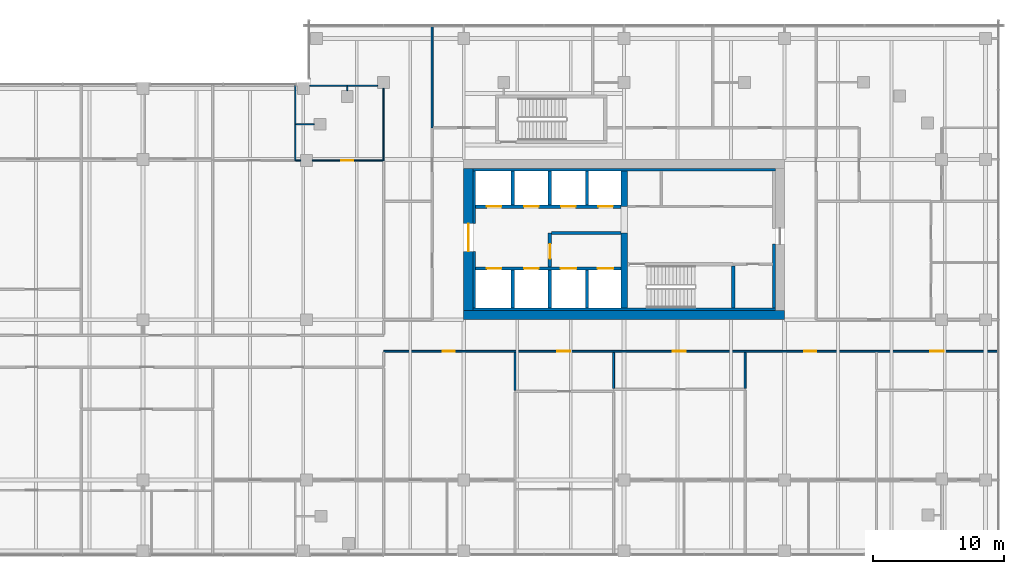
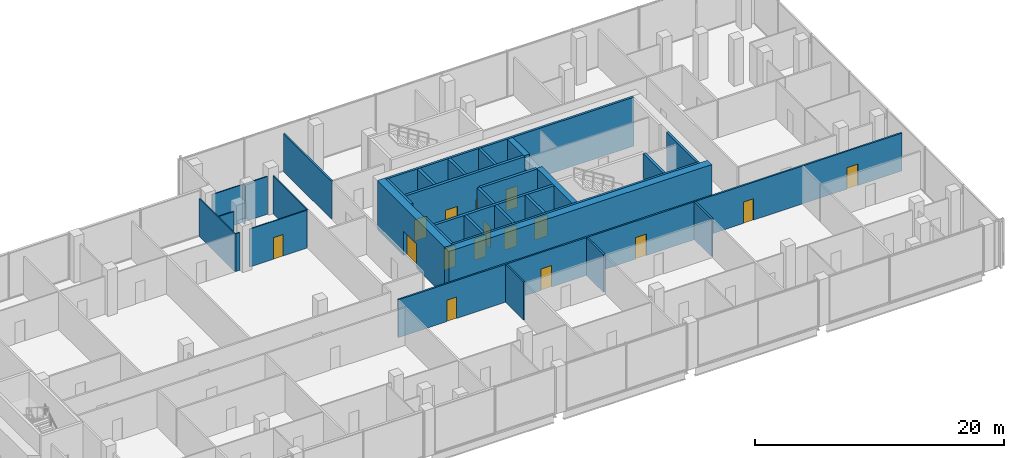
# One storey, part 27 of 33: 32 walls, 16 doors, 16 openings.
"""IFC4 building model written with IfcOpenShell, lengths in metres."""

from ifc_helpers import new_model, si_unit, direction, frame, frame_2d, origin, place, context, subcontext, project, spatial, rectangle, extrude, source, transform, mapped, material, layer, layer_set, type_object, element, fill, save


model = new_model("IFC4")

# Units and contexts
model_context = context("Model", 3, precision=1e-05, world=origin(), true_north=direction((0.0, 1.0)))
body_context = subcontext(model_context, "Body", "Model", "MODEL_VIEW")
ifc_project = project(units=[si_unit("LENGTHUNIT", "METRE"), si_unit("AREAUNIT", "SQUARE_METRE"), si_unit("VOLUMEUNIT", "CUBIC_METRE"), si_unit("PLANEANGLEUNIT", "RADIAN"), si_unit("MASSUNIT", "GRAM", prefix="KILO")], contexts=[model_context])

# Site, building, storey
site_placement = place(None, origin())
site = spatial("IfcSite", under=ifc_project, at=site_placement, CompositionType="ELEMENT")
building_placement = place(site_placement, origin())
building = spatial("IfcBuilding", under=site, at=building_placement, Name="Tessera Gate Towers", CompositionType="ELEMENT")
storey_placement = place(building_placement, frame((0.0, 0.0, 7.199951171875)))
storey = spatial("IfcBuildingStorey", under=building, at=storey_placement, Name="L01", CompositionType="ELEMENT", Elevation=7.199951171875)

# Wall, openings, doors
ifc_material_1 = material(Name="Concrete C40/50", Category="concrete")
ifc_layer_1 = layer(ifc_material_1, 0.25)
ifc_layer_set_1 = layer_set([ifc_layer_1], Name="CORE ENCLOSURE WALL 250")
wall_type_1 = type_object("IfcWallType", Name="CORE ENCLOSURE WALL 250", PredefinedType="SOLIDWALL", material=ifc_layer_set_1)
wall_1_placement = place(storey_placement, frame((98.5, 40.5, 0.0), z_axis=(0.0, 0.0, 1.0), x_axis=(1.0, 0.0, 0.0)))
wall_1 = element("IfcWall", 1, at=wall_1_placement, inside=storey, type_object=wall_type_1, Name="L01 shaft and stair enclosure wall", PredefinedType="SOLIDWALL", context=body_context, shape_type="SweptSolid", body=[
    extrude(rectangle(XDim=11.050048828125, YDim=0.25, at=frame_2d((5.52490234375, 0.0))), origin(), (0.0, 0.0, 1.0), 4.800048828125),
])
shared_shape_1 = source(origin(), body_context, "Body", "SweptSolid", [
    extrude(rectangle(XDim=1.10009765625, YDim=2.10009765625, at=frame_2d((0.550048828125, 1.050048828125))), frame((0.0, 0.135009765625, 0.0), z_axis=(0.0, -1.0, 0.0), x_axis=(1.0, 0.0, 0.0)), (0.0, 0.0, 1.0), 0.27001953125),
])
opening_1_placement = place(wall_1_placement, frame((0.862548828125, 0.0, 0.0)))
opening_1 = element("IfcOpeningElement", 2, at=opening_1_placement, cuts=wall_1, Name="Opening LD-TL1", PredefinedType="OPENING", context=body_context, shape_type="MappedRepresentation", body=[
    mapped(shared_shape_1, transform((0.0, 0.0, 0.0), scale=1.0)),
])
opening_2_placement = place(wall_1_placement, frame((3.6875, 0.0, 0.0)))
opening_2 = element("IfcOpeningElement", 3, at=opening_2_placement, cuts=wall_1, Name="Opening LD-TL2", PredefinedType="OPENING", context=body_context, shape_type="MappedRepresentation", body=[
    mapped(shared_shape_1, transform((0.0, 0.0, 0.0), scale=1.0)),
])
shared_shape_2 = source(origin(), body_context, "Body", "SweptSolid", [
    extrude(rectangle(XDim=1.199951171875, YDim=2.10009765625, at=frame_2d((0.60009765625, 1.050048828125))), frame((0.0, 0.135009765625, 0.0), z_axis=(0.0, -1.0, 0.0), x_axis=(1.0, 0.0, 0.0)), (0.0, 0.0, 1.0), 0.27001953125),
])
opening_3_placement = place(wall_1_placement, frame((6.46240234375, 0.0, 0.0)))
opening_3 = element("IfcOpeningElement", 4, at=opening_3_placement, cuts=wall_1, Name="Opening LD-FF3", PredefinedType="OPENING", context=body_context, shape_type="MappedRepresentation", body=[
    mapped(shared_shape_2, transform((0.0, 0.0, 0.0), scale=1.0)),
])
opening_4_placement = place(wall_1_placement, frame((9.28759765625, 0.0, 0.0)))
opening_4 = element("IfcOpeningElement", 5, at=opening_4_placement, cuts=wall_1, Name="Opening LD-FF4", PredefinedType="OPENING", context=body_context, shape_type="MappedRepresentation", body=[
    mapped(shared_shape_2, transform((0.0, 0.0, 0.0), scale=1.0)),
])
ifc_material_2 = material(Name="Stainless steel", Category="steel")
door_type_1 = type_object("IfcDoorType", Name="CORE DOOR LD1200 1200x2100", OperationType="DOUBLE_DOOR_SLIDING", PredefinedType="DOOR", material=ifc_material_2)
shared_shape_3 = source(origin(), body_context, "Body", "SweptSolid", [
    extrude(rectangle(XDim=1.199951171875, YDim=2.10009765625, at=frame_2d((0.60009765625, 1.050048828125))), frame((0.0, 0.02490234375, 0.0), z_axis=(0.0, -1.0, 0.0), x_axis=(1.0, 0.0, 0.0)), (0.0, 0.0, 1.0), 0.050048828125),
])
door_1_placement = place(opening_3_placement, origin())
door_1 = element("IfcDoor", 6, at=door_1_placement, inside=storey, type_object=door_type_1, Name="Landing door FF3 L01", OperationType="DOUBLE_DOOR_SLIDING", OverallHeight=2.10009765625, OverallWidth=1.199951171875, PredefinedType="DOOR", context=body_context, shape_type="MappedRepresentation", body=[
    mapped(shared_shape_3, transform((0.0, 0.0, 0.0), scale=1.0)),
])
fill(opening_3, door_1)
door_2_placement = place(opening_4_placement, origin())
door_2 = element("IfcDoor", 7, at=door_2_placement, inside=storey, type_object=door_type_1, Name="Landing door FF4 L01", OperationType="DOUBLE_DOOR_SLIDING", OverallHeight=2.10009765625, OverallWidth=1.199951171875, PredefinedType="DOOR", context=body_context, shape_type="MappedRepresentation", body=[
    mapped(shared_shape_3, transform((0.0, 0.0, 0.0), scale=1.0)),
])
fill(opening_4, door_2)
ifc_material_3 = material(Name="Stainless steel", Category="steel")
door_type_2 = type_object("IfcDoorType", Name="CORE DOOR LD 1100x2100", OperationType="DOUBLE_DOOR_SLIDING", PredefinedType="DOOR", material=ifc_material_3)
shared_shape_4 = source(origin(), body_context, "Body", "SweptSolid", [
    extrude(rectangle(XDim=1.10009765625, YDim=2.10009765625, at=frame_2d((0.550048828125, 1.050048828125))), frame((0.0, 0.02490234375, 0.0), z_axis=(0.0, -1.0, 0.0), x_axis=(1.0, 0.0, 0.0)), (0.0, 0.0, 1.0), 0.050048828125),
])
door_3_placement = place(opening_1_placement, origin())
door_3 = element("IfcDoor", 8, at=door_3_placement, inside=storey, type_object=door_type_2, Name="Landing door TL1 L01", OperationType="DOUBLE_DOOR_SLIDING", OverallHeight=2.10009765625, OverallWidth=1.10009765625, PredefinedType="DOOR", context=body_context, shape_type="MappedRepresentation", body=[
    mapped(shared_shape_4, transform((0.0, 0.0, 0.0), scale=1.0)),
])
fill(opening_1, door_3)
door_4_placement = place(opening_2_placement, origin())
door_4 = element("IfcDoor", 9, at=door_4_placement, inside=storey, type_object=door_type_2, Name="Landing door TL2 L01", OperationType="DOUBLE_DOOR_SLIDING", OverallHeight=2.10009765625, OverallWidth=1.10009765625, PredefinedType="DOOR", context=body_context, shape_type="MappedRepresentation", body=[
    mapped(shared_shape_4, transform((0.0, 0.0, 0.0), scale=1.0)),
])
fill(opening_2, door_4)

wall_2_placement = place(storey_placement, frame((109.550048828125, 45.199951171875, 0.0), z_axis=(0.0, 0.0, 1.0), x_axis=(-1.0, 0.0, 0.0)))
wall_2 = element("IfcWall", 10, at=wall_2_placement, inside=storey, type_object=wall_type_1, Name="L01 shaft and stair enclosure wall", PredefinedType="SOLIDWALL", context=body_context, shape_type="SweptSolid", body=[
    extrude(rectangle(XDim=11.050048828125, YDim=0.25, at=frame_2d((5.52490234375, 0.0))), origin(), (0.0, 0.0, 1.0), 4.800048828125),
])
opening_5_placement = place(wall_2_placement, frame((9.08740234375, 0.0, 0.0)))
opening_5 = element("IfcOpeningElement", 11, at=opening_5_placement, cuts=wall_2, Name="Opening LD-TL3", PredefinedType="OPENING", context=body_context, shape_type="MappedRepresentation", body=[
    mapped(shared_shape_1, transform((0.0, 0.0, 0.0), scale=1.0)),
])
opening_6_placement = place(wall_2_placement, frame((6.262451171875, 0.0, 0.0)))
opening_6 = element("IfcOpeningElement", 12, at=opening_6_placement, cuts=wall_2, Name="Opening LD-TL4", PredefinedType="OPENING", context=body_context, shape_type="MappedRepresentation", body=[
    mapped(shared_shape_1, transform((0.0, 0.0, 0.0), scale=1.0)),
])
opening_7_placement = place(wall_2_placement, frame((3.4375, 0.0, 0.0)))
opening_7 = element("IfcOpeningElement", 13, at=opening_7_placement, cuts=wall_2, Name="Opening LD-TL5", PredefinedType="OPENING", context=body_context, shape_type="MappedRepresentation", body=[
    mapped(shared_shape_1, transform((0.0, 0.0, 0.0), scale=1.0)),
])
opening_8_placement = place(wall_2_placement, frame((0.612548828125, 0.0, 0.0)))
opening_8 = element("IfcOpeningElement", 14, at=opening_8_placement, cuts=wall_2, Name="Opening LD-TL6", PredefinedType="OPENING", context=body_context, shape_type="MappedRepresentation", body=[
    mapped(shared_shape_1, transform((0.0, 0.0, 0.0), scale=1.0)),
])
door_5_placement = place(opening_5_placement, origin())
door_5 = element("IfcDoor", 15, at=door_5_placement, inside=storey, type_object=door_type_2, Name="Landing door TL3 L01", OperationType="DOUBLE_DOOR_SLIDING", OverallHeight=2.10009765625, OverallWidth=1.10009765625, PredefinedType="DOOR", context=body_context, shape_type="MappedRepresentation", body=[
    mapped(shared_shape_4, transform((0.0, 0.0, 0.0), scale=1.0)),
])
fill(opening_5, door_5)
door_6_placement = place(opening_6_placement, origin())
door_6 = element("IfcDoor", 16, at=door_6_placement, inside=storey, type_object=door_type_2, Name="Landing door TL4 L01", OperationType="DOUBLE_DOOR_SLIDING", OverallHeight=2.10009765625, OverallWidth=1.10009765625, PredefinedType="DOOR", context=body_context, shape_type="MappedRepresentation", body=[
    mapped(shared_shape_4, transform((0.0, 0.0, 0.0), scale=1.0)),
])
fill(opening_6, door_6)
door_7_placement = place(opening_7_placement, origin())
door_7 = element("IfcDoor", 17, at=door_7_placement, inside=storey, type_object=door_type_2, Name="Landing door TL5 L01", OperationType="DOUBLE_DOOR_SLIDING", OverallHeight=2.10009765625, OverallWidth=1.10009765625, PredefinedType="DOOR", context=body_context, shape_type="MappedRepresentation", body=[
    mapped(shared_shape_4, transform((0.0, 0.0, 0.0), scale=1.0)),
])
fill(opening_7, door_7)
door_8_placement = place(opening_8_placement, origin())
door_8 = element("IfcDoor", 18, at=door_8_placement, inside=storey, type_object=door_type_2, Name="Landing door TL6 L01", OperationType="DOUBLE_DOOR_SLIDING", OverallHeight=2.10009765625, OverallWidth=1.10009765625, PredefinedType="DOOR", context=body_context, shape_type="MappedRepresentation", body=[
    mapped(shared_shape_4, transform((0.0, 0.0, 0.0), scale=1.0)),
])
fill(opening_8, door_8)

# Wall
wall_3_placement = place(storey_placement, frame((104.14990234375, 37.5, 0.0), z_axis=(0.0, 0.0, 1.0), x_axis=(0.0, 1.0, 0.0)))
element("IfcWall", 19, at=wall_3_placement, inside=storey, type_object=wall_type_1, Name="L01 shaft and stair enclosure wall", PredefinedType="SOLIDWALL", context=body_context, shape_type="SweptSolid", body=[
    extrude(rectangle(XDim=2.875, YDim=0.25, at=frame_2d((1.4375, 0.0))), origin(), (0.0, 0.0, 1.0), 4.800048828125),
])

# Wall, opening, door
wall_4_placement = place(storey_placement, frame((104.14990234375, 43.199951171875, 0.0), z_axis=(0.0, 0.0, 1.0), x_axis=(0.0, -1.0, 0.0)))
wall_4 = element("IfcWall", 20, at=wall_4_placement, inside=storey, type_object=wall_type_1, Name="L01 shaft and stair enclosure wall", PredefinedType="SOLIDWALL", context=body_context, shape_type="SweptSolid", body=[
    extrude(rectangle(XDim=2.574951171875, YDim=0.25, at=frame_2d((1.28759765625, 0.0))), origin(), (0.0, 0.0, 1.0), 4.800048828125),
])
opening_9_placement = place(wall_4_placement, frame((0.85009765625, 0.0, 0.0)))
opening_9 = element("IfcOpeningElement", 21, at=opening_9_placement, cuts=wall_4, Name="Opening FD-T2-03-03", PredefinedType="OPENING", context=body_context, shape_type="MappedRepresentation", body=[
    mapped(shared_shape_1, transform((0.0, 0.0, 0.0), scale=1.0)),
])
ifc_material_4 = material(Name="Hollow steel fire door", Category="steel")
door_type_3 = type_object("IfcDoorType", Name="CORE DOOR FD 1100x2100", OperationType="NOTDEFINED", PredefinedType="DOOR", material=ifc_material_4)
door_9_placement = place(opening_9_placement, origin())
door_9 = element("IfcDoor", 22, at=door_9_placement, inside=storey, type_object=door_type_3, Name="Fire-fighting lobby door", OperationType="SINGLE_SWING_RIGHT", OverallHeight=2.10009765625, OverallWidth=1.10009765625, PredefinedType="DOOR", context=body_context, shape_type="MappedRepresentation", body=[
    mapped(shared_shape_4, transform((0.0, 0.0, 0.0), scale=1.0)),
])
fill(opening_9, door_9)

# Walls
wall_5_placement = place(storey_placement, frame((104.27490234375, 43.199951171875, 0.0), z_axis=(0.0, 0.0, 1.0), x_axis=(1.0, 0.0, 0.0)))
element("IfcWall", 23, at=wall_5_placement, inside=storey, type_object=wall_type_1, Name="L01 shaft and stair enclosure wall", PredefinedType="SOLIDWALL", context=body_context, shape_type="SweptSolid", body=[
    extrude(rectangle(XDim=5.275146484375, YDim=0.25, at=frame_2d((2.6376953125, 0.0))), origin(), (0.0, 0.0, 1.0), 4.800048828125),
])
wall_6_placement = place(storey_placement, frame((118.10009765625, 37.5, 0.0), z_axis=(0.0, 0.0, 1.0), x_axis=(0.0, 1.0, 0.0)))
element("IfcWall", 24, at=wall_6_placement, inside=storey, type_object=wall_type_1, Name="L01 shaft and stair enclosure wall", PredefinedType="SOLIDWALL", context=body_context, shape_type="SweptSolid", body=[
    extrude(rectangle(XDim=3.199951171875, YDim=0.25, at=frame_2d((1.60009765625, 0.0))), origin(), (0.0, 0.0, 1.0), 4.800048828125),
])
for number, where, z_axis, x_axis, name in (
    (25, (101.324951171875, 37.5, 0.0), (0.0, 0.0, 1.0), (0.0, 1.0, 0.0), "L01 shaft and stair enclosure wall"),
    (26, (106.97509765625, 37.5, 0.0), (0.0, 0.0, 1.0), (0.0, 1.0, 0.0), "L01 shaft and stair enclosure wall"),
):
    element("IfcWall", number, at=place(storey_placement, frame(where, z_axis=z_axis, x_axis=x_axis)), inside=storey, type_object=wall_type_1, Name=name, PredefinedType="SOLIDWALL", context=body_context, shape_type="SweptSolid", body=[
        extrude(rectangle(XDim=2.875, YDim=0.25, at=frame_2d((1.4375, 0.0))), origin(), (0.0, 0.0, 1.0), 4.800048828125),
    ])
for number, where, z_axis, x_axis, name in (
    (27, (101.324951171875, 45.324951171875, 0.0), (0.0, 0.0, 1.0), (0.0, 1.0, 0.0), "L01 shaft and stair enclosure wall"),
    (28, (104.14990234375, 45.324951171875, 0.0), (0.0, 0.0, 1.0), (0.0, 1.0, 0.0), "L01 shaft and stair enclosure wall"),
    (29, (106.97509765625, 45.324951171875, 0.0), (0.0, 0.0, 1.0), (0.0, 1.0, 0.0), "L01 shaft and stair enclosure wall"),
):
    element("IfcWall", number, at=place(storey_placement, frame(where, z_axis=z_axis, x_axis=x_axis)), inside=storey, type_object=wall_type_1, Name=name, PredefinedType="SOLIDWALL", context=body_context, shape_type="SweptSolid", body=[
        extrude(rectangle(XDim=2.574951171875, YDim=0.25, at=frame_2d((1.28759765625, 0.0))), origin(), (0.0, 0.0, 1.0), 4.800048828125),
    ])
ifc_material_5 = material(Name="Concrete C60/75", Category="concrete")
ifc_layer_2 = layer(ifc_material_5, 0.699951171875)
ifc_layer_set_2 = layer_set([ifc_layer_2], Name="CORE SHEAR WALL 700 C60/75")
wall_type_2 = type_object("IfcWallType", Name="CORE SHEAR WALL 700 C60/75", PredefinedType="SHEAR", material=ifc_layer_set_2)
wall_7_placement = place(storey_placement, frame((122.0, 36.949951171875, 0.0), z_axis=(0.0, 0.0, 1.0), x_axis=(-1.0, 0.0, 0.0)))
element("IfcWall", 30, at=wall_7_placement, inside=storey, type_object=wall_type_2, Name="Core wall S L01", PredefinedType="SHEAR", context=body_context, shape_type="SweptSolid", body=[
    extrude(rectangle(XDim=24.39990234375, YDim=0.699951171875, at=frame_2d((12.199951171875, 0.0))), origin(), (0.0, 0.0, 1.0), 4.800048828125),
])

# Wall, opening, door
wall_8_placement = place(storey_placement, frame((97.949951171875, 37.300048828125, 0.0), z_axis=(0.0, 0.0, 1.0), x_axis=(0.0, 1.0, 0.0)))
wall_8 = element("IfcWall", 31, at=wall_8_placement, inside=storey, type_object=wall_type_2, Name="Core wall W L01", PredefinedType="SHEAR", context=body_context, shape_type="SweptSolid", body=[
    extrude(rectangle(XDim=10.800048828125, YDim=0.699951171875, at=frame_2d((5.39990234375, 0.0))), origin(), (0.0, 0.0, 1.0), 4.800048828125),
])
shared_shape_5 = source(origin(), body_context, "Body", "SweptSolid", [
    extrude(rectangle(XDim=2.10009765625, YDim=2.39990234375, at=frame_2d((1.050048828125, 1.199951171875))), frame((0.0, 0.35986328125, 0.0), z_axis=(0.0, -1.0, 0.0), x_axis=(1.0, 0.0, 0.0)), (0.0, 0.0, 1.0), 0.719970703125),
])
opening_10_placement = place(wall_8_placement, frame((4.5, 0.0, 0.0)))
opening_10 = element("IfcOpeningElement", 32, at=opening_10_placement, cuts=wall_8, Name="Opening DD-T2-03-01", PredefinedType="OPENING", context=body_context, shape_type="MappedRepresentation", body=[
    mapped(shared_shape_5, transform((0.0, 0.0, 0.0), scale=1.0)),
])
ifc_material_6 = material(Name="Hollow steel fire door", Category="steel")
door_type_4 = type_object("IfcDoorType", Name="CORE DOOR DD 2100x2400", OperationType="NOTDEFINED", PredefinedType="DOOR", material=ifc_material_6)
shared_shape_6 = source(origin(), body_context, "Body", "SweptSolid", [
    extrude(rectangle(XDim=2.10009765625, YDim=2.39990234375, at=frame_2d((1.050048828125, 1.199951171875))), frame((0.0, 0.02490234375, 0.0), z_axis=(0.0, -1.0, 0.0), x_axis=(1.0, 0.0, 0.0)), (0.0, 0.0, 1.0), 0.050048828125),
])
door_10_placement = place(opening_10_placement, origin())
door_10 = element("IfcDoor", 33, at=door_10_placement, inside=storey, type_object=door_type_4, Name="Core entrance door", OperationType="DOUBLE_DOOR_SINGLE_SWING", OverallHeight=2.39990234375, OverallWidth=2.10009765625, PredefinedType="DOOR", context=body_context, shape_type="MappedRepresentation", body=[
    mapped(shared_shape_6, transform((0.0, 0.0, 0.0), scale=1.0)),
])
fill(opening_10, door_10)

# Walls
ifc_material_7 = material(Name="Concrete C60/75", Category="concrete")
ifc_layer_3 = layer(ifc_material_7, 0.5)
ifc_layer_set_3 = layer_set([ifc_layer_3], Name="CORE SPINE WALL 500 C60/75")
wall_type_3 = type_object("IfcWallType", Name="CORE SPINE WALL 500 C60/75", PredefinedType="SHEAR", material=ifc_layer_set_3)
wall_9_placement = place(storey_placement, frame((109.800048828125, 37.5, 0.0), z_axis=(0.0, 0.0, 1.0), x_axis=(0.0, 1.0, 0.0)))
element("IfcWall", 34, at=wall_9_placement, inside=storey, type_object=wall_type_3, Name="Core wall spine L01", PredefinedType="SHEAR", context=body_context, shape_type="SweptSolid", body=[
    extrude(rectangle(XDim=5.699951171875, YDim=0.5, at=frame_2d((2.85009765625, 0.0))), origin(), (0.0, 0.0, 1.0), 4.800048828125),
])
wall_10_placement = place(storey_placement, frame((109.800048828125, 45.199951171875, 0.0), z_axis=(0.0, 0.0, 1.0), x_axis=(0.0, 1.0, 0.0)))
element("IfcWall", 35, at=wall_10_placement, inside=storey, type_object=wall_type_3, Name="Core wall spine L01", PredefinedType="SHEAR", context=body_context, shape_type="SweptSolid", body=[
    extrude(rectangle(XDim=2.699951171875, YDim=0.5, at=frame_2d((1.35009765625, 0.0))), origin(), (0.0, 0.0, 1.0), 4.800048828125),
])
ifc_material_8 = material(Name="Concrete C60/75", Category="concrete")
ifc_layer_4 = layer(ifc_material_8, 0.199951171875)
ifc_layer_set_4 = layer_set([ifc_layer_4], Name="CORE WALL THICKENING 200")
wall_type_4 = type_object("IfcWallType", Name="CORE WALL THICKENING 200", PredefinedType="SOLIDWALL", material=ifc_layer_set_4)
for number, where, z_axis, x_axis, name in (
    (36, (98.300048828125, 37.39990234375, 0.0), (0.0, 0.0, 1.0), (1.0, 0.0, 0.0), "Core wall thickening S L01"),
    (37, (98.300048828125, 48.0, 0.0), (0.0, 0.0, 1.0), (1.0, 0.0, 0.0), "Core wall thickening N L01"),
):
    element("IfcWall", number, at=place(storey_placement, frame(where, z_axis=z_axis, x_axis=x_axis)), inside=storey, type_object=wall_type_4, Name=name, PredefinedType="SOLIDWALL", context=body_context, shape_type="SweptSolid", body=[
        extrude(rectangle(XDim=23.0, YDim=0.199951171875, at=frame_2d((11.5, 0.0))), origin(), (0.0, 0.0, 1.0), 4.800048828125),
    ])
wall_11_placement = place(storey_placement, frame((98.39990234375, 37.5, 0.0), z_axis=(0.0, 0.0, 1.0), x_axis=(0.0, 1.0, 0.0)))
element("IfcWall", 38, at=wall_11_placement, inside=storey, type_object=wall_type_4, Name="Core wall thickening W L01", PredefinedType="SOLIDWALL", context=body_context, shape_type="SweptSolid", body=[
    extrude(rectangle(XDim=4.300048828125, YDim=0.199951171875, at=frame_2d((2.14990234375, 0.0))), origin(), (0.0, 0.0, 1.0), 4.800048828125),
])
wall_12_placement = place(storey_placement, frame((98.39990234375, 43.89990234375, 0.0), z_axis=(0.0, 0.0, 1.0), x_axis=(0.0, 1.0, 0.0)))
element("IfcWall", 39, at=wall_12_placement, inside=storey, type_object=wall_type_4, Name="Core wall thickening W L01", PredefinedType="SOLIDWALL", context=body_context, shape_type="SweptSolid", body=[
    extrude(rectangle(XDim=4.0, YDim=0.199951171875, at=frame_2d((2.0, 0.0))), origin(), (0.0, 0.0, 1.0), 4.800048828125),
])
wall_13_placement = place(storey_placement, frame((121.199951171875, 37.5, 0.0), z_axis=(0.0, 0.0, 1.0), x_axis=(0.0, 1.0, 0.0)))
element("IfcWall", 40, at=wall_13_placement, inside=storey, type_object=wall_type_4, Name="Core wall thickening E L01", PredefinedType="SOLIDWALL", context=body_context, shape_type="SweptSolid", body=[
    extrude(rectangle(XDim=4.85009765625, YDim=0.199951171875, at=frame_2d((2.425048828125, 0.0))), origin(), (0.0, 0.0, 1.0), 4.800048828125),
])

# Wall, openings, doors
ifc_material_9 = material(Name="Gypsum board on steel studs, mineral wool", Category="steel")
ifc_layer_5 = layer(ifc_material_9, 0.14990234375)
ifc_layer_set_5 = layer_set([ifc_layer_5], Name="CORRIDOR WALL 150")
wall_type_5 = type_object("IfcWallType", Name="CORRIDOR WALL 150", PredefinedType="PARTITIONING", material=ifc_layer_set_5)
wall_14_placement = place(storey_placement, frame((138.199951171875, 34.199951171875, 0.0), z_axis=(0.0, 0.0, 1.0), x_axis=(-1.0, 0.0, 0.0)))
wall_14 = element("IfcWall", 41, at=wall_14_placement, inside=storey, type_object=wall_type_5, Name="PODIUM-L01-PW-066", PredefinedType="PARTITIONING", context=body_context, shape_type="SweptSolid", body=[
    extrude(rectangle(XDim=46.699951171875, YDim=0.14990234375, at=frame_2d((23.35009765625, 0.0))), origin(), (0.0, 0.0, 1.0), 3.715087890625),
])
shared_shape_7 = source(origin(), body_context, "Body", "SweptSolid", [
    extrude(rectangle(XDim=1.0, YDim=2.10009765625, at=frame_2d((0.5, 1.050048828125))), frame((0.0, 0.0849609375, 0.0), z_axis=(0.0, -1.0, 0.0), x_axis=(1.0, 0.0, 0.0)), (0.0, 0.0, 1.0), 0.169921875),
])
opening_11_placement = place(wall_14_placement, frame((32.4990234375, 0.0, 0.0)))
opening_11 = element("IfcOpeningElement", 42, at=opening_11_placement, cuts=wall_14, Name="Opening D2100FD60-P02-04", PredefinedType="OPENING", context=body_context, shape_type="MappedRepresentation", body=[
    mapped(shared_shape_7, transform((0.0, 0.0, 0.0), scale=1.0)),
])
opening_12_placement = place(wall_14_placement, frame((4.09912109375, 0.0, 0.0)))
opening_12 = element("IfcOpeningElement", 43, at=opening_12_placement, cuts=wall_14, Name="Opening D2100FD60-P02-06", PredefinedType="OPENING", context=body_context, shape_type="MappedRepresentation", body=[
    mapped(shared_shape_7, transform((0.0, 0.0, 0.0), scale=1.0)),
])
shared_shape_8 = source(origin(), body_context, "Body", "SweptSolid", [
    extrude(rectangle(XDim=0.89990234375, YDim=2.10009765625, at=frame_2d((0.449951171875, 1.050048828125))), frame((0.0, 0.0849609375, 0.0), z_axis=(0.0, -1.0, 0.0), x_axis=(1.0, 0.0, 0.0)), (0.0, 0.0, 1.0), 0.169921875),
])
opening_13_placement = place(wall_14_placement, frame((13.799072265625, 0.0, 0.0)))
opening_13 = element("IfcOpeningElement", 44, at=opening_13_placement, cuts=wall_14, Name="Opening D890FD60-P02-07", PredefinedType="OPENING", context=body_context, shape_type="MappedRepresentation", body=[
    mapped(shared_shape_8, transform((0.0, 0.0, 0.0), scale=1.0)),
])
opening_14_placement = place(wall_14_placement, frame((41.300048828125, 0.0, 0.0)))
opening_14 = element("IfcOpeningElement", 45, at=opening_14_placement, cuts=wall_14, Name="Opening D890FD60-P02-08", PredefinedType="OPENING", context=body_context, shape_type="MappedRepresentation", body=[
    mapped(shared_shape_8, transform((0.0, 0.0, 0.0), scale=1.0)),
])
opening_15_placement = place(wall_14_placement, frame((23.699951171875, 0.0, 0.0)))
opening_15 = element("IfcOpeningElement", 46, at=opening_15_placement, cuts=wall_14, Name="Opening D2100FD60-P02-08", PredefinedType="OPENING", context=body_context, shape_type="MappedRepresentation", body=[
    mapped(shared_shape_7, transform((0.0, 0.0, 0.0), scale=1.0)),
])
ifc_material_10 = material(Name="Timber door leaf in steel frame", Category="steel")
door_type_5 = type_object("IfcDoorType", Name="CORRIDOR DOOR 900 FD60", OperationType="NOTDEFINED", PredefinedType="DOOR", material=ifc_material_10)
shared_shape_9 = source(origin(), body_context, "Body", "SweptSolid", [
    extrude(rectangle(XDim=0.89990234375, YDim=2.10009765625, at=frame_2d((0.449951171875, 1.050048828125))), frame((0.0, 0.02490234375, 0.0), z_axis=(0.0, -1.0, 0.0), x_axis=(1.0, 0.0, 0.0)), (0.0, 0.0, 1.0), 0.050048828125),
])
door_11_placement = place(opening_13_placement, origin())
door_11 = element("IfcDoor", 47, at=door_11_placement, inside=storey, type_object=door_type_5, Name="PODIUM-L01-PD-043", OperationType="SINGLE_SWING_RIGHT", OverallHeight=2.10009765625, OverallWidth=0.89990234375, PredefinedType="DOOR", context=body_context, shape_type="MappedRepresentation", body=[
    mapped(shared_shape_9, transform((0.0, 0.0, 0.0), scale=1.0)),
])
fill(opening_13, door_11)
door_12_placement = place(opening_14_placement, origin())
door_12 = element("IfcDoor", 48, at=door_12_placement, inside=storey, type_object=door_type_5, Name="PODIUM-L01-PD-045", OperationType="SINGLE_SWING_RIGHT", OverallHeight=2.10009765625, OverallWidth=0.89990234375, PredefinedType="DOOR", context=body_context, shape_type="MappedRepresentation", body=[
    mapped(shared_shape_9, transform((0.0, 0.0, 0.0), scale=1.0)),
])
fill(opening_14, door_12)
ifc_material_11 = material(Name="Timber door leaf in steel frame", Category="steel")
door_type_6 = type_object("IfcDoorType", Name="TENANCY ENTRANCE DOOR 1000 FD60", OperationType="NOTDEFINED", PredefinedType="DOOR", material=ifc_material_11)
shared_shape_10 = source(origin(), body_context, "Body", "SweptSolid", [
    extrude(rectangle(XDim=1.0, YDim=2.10009765625, at=frame_2d((0.5, 1.050048828125))), frame((0.0, 0.02490234375, 0.0), z_axis=(0.0, -1.0, 0.0), x_axis=(1.0, 0.0, 0.0)), (0.0, 0.0, 1.0), 0.050048828125),
])
door_13_placement = place(opening_11_placement, origin())
door_13 = element("IfcDoor", 49, at=door_13_placement, inside=storey, type_object=door_type_6, Name="PODIUM-L01-PD-028", OperationType="SINGLE_SWING_RIGHT", OverallHeight=2.10009765625, OverallWidth=1.0, PredefinedType="DOOR", context=body_context, shape_type="MappedRepresentation", body=[
    mapped(shared_shape_10, transform((0.0, 0.0, 0.0), scale=1.0)),
])
fill(opening_11, door_13)
door_14_placement = place(opening_12_placement, origin())
door_14 = element("IfcDoor", 50, at=door_14_placement, inside=storey, type_object=door_type_6, Name="PODIUM-L01-PD-039", OperationType="SINGLE_SWING_RIGHT", OverallHeight=2.10009765625, OverallWidth=1.0, PredefinedType="DOOR", context=body_context, shape_type="MappedRepresentation", body=[
    mapped(shared_shape_10, transform((0.0, 0.0, 0.0), scale=1.0)),
])
fill(opening_12, door_14)
door_15_placement = place(opening_15_placement, origin())
door_15 = element("IfcDoor", 51, at=door_15_placement, inside=storey, type_object=door_type_6, Name="PODIUM-L01-PD-046", OperationType="SINGLE_SWING_RIGHT", OverallHeight=2.10009765625, OverallWidth=1.0, PredefinedType="DOOR", context=body_context, shape_type="MappedRepresentation", body=[
    mapped(shared_shape_10, transform((0.0, 0.0, 0.0), scale=1.0)),
])
fill(opening_15, door_15)

# Wall
ifc_material_12 = material(Name="Glass", Category="glass")
ifc_layer_6 = layer(ifc_material_12, 0.10009765625)
ifc_layer_set_6 = layer_set([ifc_layer_6], Name="GLAZED PARTITION 100")
wall_type_6 = type_object("IfcWallType", Name="GLAZED PARTITION 100", PredefinedType="PARTITIONING", material=ifc_layer_set_6)
wall_15_placement = place(storey_placement, frame((84.831298828125, 48.7099609375, 0.0), z_axis=(0.0, 0.0, 1.0), x_axis=(1.0, 0.0, 0.0)))
element("IfcWall", 52, at=wall_15_placement, inside=storey, type_object=wall_type_6, Name="PODIUM-L01-PW-098", PredefinedType="PARTITIONING", context=body_context, shape_type="SweptSolid", body=[
    extrude(rectangle(XDim=0.3505859375, YDim=0.10009765625, at=frame_2d((0.17529296875, 0.0))), origin(), (0.0, 0.0, 1.0), 3.715087890625),
])

# Wall, opening, door
wall_16_placement = place(storey_placement, frame((86.083984375, 48.7099609375, 0.0), z_axis=(0.0, 0.0, 1.0), x_axis=(1.0, 0.0, 0.0)))
wall_16 = element("IfcWall", 53, at=wall_16_placement, inside=storey, type_object=wall_type_6, Name="PODIUM-L01-PW-099", PredefinedType="PARTITIONING", context=body_context, shape_type="SweptSolid", body=[
    extrude(rectangle(XDim=5.340087890625, YDim=0.10009765625, at=frame_2d((2.669921875, 0.0))), origin(), (0.0, 0.0, 1.0), 3.715087890625),
])
shared_shape_11 = source(origin(), body_context, "Body", "SweptSolid", [
    extrude(rectangle(XDim=0.89990234375, YDim=2.10009765625, at=frame_2d((0.449951171875, 1.050048828125))), frame((0.0, 0.06005859375, 0.0), z_axis=(0.0, -1.0, 0.0), x_axis=(1.0, 0.0, 0.0)), (0.0, 0.0, 1.0), 0.1201171875),
])
opening_16_placement = place(wall_16_placement, frame((2.199951171875, 0.0, 0.0)))
opening_16 = element("IfcOpeningElement", 54, at=opening_16_placement, cuts=wall_16, Name="Opening D690-P02-07", PredefinedType="OPENING", context=body_context, shape_type="MappedRepresentation", body=[
    mapped(shared_shape_11, transform((0.0, 0.0, 0.0), scale=1.0)),
])
ifc_material_13 = material(Name="Glass in aluminium frame", Category="aluminium")
door_type_7 = type_object("IfcDoorType", Name="GLAZED DOOR 900 NOT RATED", OperationType="NOTDEFINED", PredefinedType="DOOR", material=ifc_material_13)
door_16_placement = place(opening_16_placement, origin())
door_16 = element("IfcDoor", 55, at=door_16_placement, inside=storey, type_object=door_type_7, Name="PODIUM-L01-PD-020", OperationType="SINGLE_SWING_LEFT", OverallHeight=2.10009765625, OverallWidth=0.89990234375, PredefinedType="DOOR", context=body_context, shape_type="MappedRepresentation", body=[
    mapped(shared_shape_9, transform((0.0, 0.0, 0.0), scale=1.0)),
])
fill(opening_16, door_16)

# Walls
wall_17_placement = place(storey_placement, frame((91.5, 48.7109375, 0.0), z_axis=(0.0, 0.0, 1.0), x_axis=(0.0, 1.0, 0.0)))
element("IfcWall", 56, at=wall_17_placement, inside=storey, type_object=wall_type_6, Name="PODIUM-L01-PW-100", PredefinedType="PARTITIONING", context=body_context, shape_type="SweptSolid", body=[
    extrude(rectangle(XDim=5.488037109375, YDim=0.10009765625, at=frame_2d((2.744140625, 0.0))), origin(), (0.0, 0.0, 1.0), 3.715087890625),
])
wall_18_placement = place(storey_placement, frame((85.89990234375, 54.39990234375, 0.0), z_axis=(0.0, 0.0, 1.0), x_axis=(1.0, 0.0, 0.0)))
element("IfcWall", 57, at=wall_18_placement, inside=storey, type_object=wall_type_6, Name="PODIUM-L01-PW-128", PredefinedType="PARTITIONING", context=body_context, shape_type="SweptSolid", body=[
    extrude(rectangle(XDim=5.149169921875, YDim=0.10009765625, at=frame_2d((2.57470703125, 0.0))), origin(), (0.0, 0.0, 1.0), 3.715087890625),
])
ifc_material_14 = material(Name="Gypsum board on steel studs", Category="steel")
ifc_layer_7 = layer(ifc_material_14, 0.10009765625)
ifc_layer_set_7 = layer_set([ifc_layer_7], Name="PARTITION 100")
wall_type_7 = type_object("IfcWallType", Name="PARTITION 100", PredefinedType="PARTITIONING", material=ifc_layer_set_7)
wall_19_placement = place(storey_placement, frame((84.780029296875, 48.7099609375, 0.0), z_axis=(0.0, 0.0, 1.0), x_axis=(0.0, 1.0, 0.0)))
element("IfcWall", 58, at=wall_19_placement, inside=storey, type_object=wall_type_7, Name="PODIUM-L01-PW-097", PredefinedType="PARTITIONING", context=body_context, shape_type="SweptSolid", body=[
    extrude(rectangle(XDim=5.68994140625, YDim=0.10009765625, at=frame_2d((2.844970703125, 0.0))), origin(), (0.0, 0.0, 1.0), 3.715087890625),
])
wall_20_placement = place(storey_placement, frame((86.22412109375, 51.468994140625, 0.0), z_axis=(0.0, 0.0, 1.0), x_axis=(-1.0, 0.0, 0.0)))
element("IfcWall", 59, at=wall_20_placement, inside=storey, type_object=wall_type_7, Name="PODIUM-L01-PW-124", PredefinedType="PARTITIONING", context=body_context, shape_type="SweptSolid", body=[
    extrude(rectangle(XDim=1.39404296875, YDim=0.10009765625, at=frame_2d((0.697021484375, 0.0))), origin(), (0.0, 0.0, 1.0), 3.715087890625),
])
wall_21_placement = place(storey_placement, frame((88.743896484375, 54.01904296875, 0.0), z_axis=(0.0, 0.0, 1.0), x_axis=(0.0, 1.0, 0.0)))
element("IfcWall", 60, at=wall_21_placement, inside=storey, type_object=wall_type_7, Name="PODIUM-L01-PW-126", PredefinedType="PARTITIONING", context=body_context, shape_type="SweptSolid", body=[
    extrude(rectangle(XDim=0.3310546875, YDim=0.10009765625, at=frame_2d((0.16552734375, 0.0))), origin(), (0.0, 0.0, 1.0), 3.715087890625),
])
ifc_material_15 = material(Name="Gypsum board on steel studs, mineral wool", Category="steel")
ifc_layer_8 = layer(ifc_material_15, 0.14990234375)
ifc_layer_set_8 = layer_set([ifc_layer_8], Name="TENANCY WALL 150")
wall_type_8 = type_object("IfcWallType", Name="TENANCY WALL 150", PredefinedType="PARTITIONING", material=ifc_layer_set_8)
wall_22_placement = place(storey_placement, frame((101.5, 31.22607421875, 0.0), z_axis=(0.0, 0.0, 1.0), x_axis=(0.0, 1.0, 0.0)))
element("IfcWall", 61, at=wall_22_placement, inside=storey, type_object=wall_type_8, Name="PODIUM-L01-PW-057", PredefinedType="PARTITIONING", context=body_context, shape_type="SweptSolid", body=[
    extrude(rectangle(XDim=2.89794921875, YDim=0.14990234375, at=frame_2d((1.448974609375, 0.0))), origin(), (0.0, 0.0, 1.0), 3.715087890625),
])
for number, where, z_axis, x_axis, name in (
    (62, (109.0, 31.3759765625, 0.0), (0.0, 0.0, 1.0), (0.0, 1.0, 0.0), "PODIUM-L01-PW-061"),
    (63, (119.0, 31.3759765625, 0.0), (0.0, 0.0, 1.0), (0.0, 1.0, 0.0), "PODIUM-L01-PW-062"),
):
    element("IfcWall", number, at=place(storey_placement, frame(where, z_axis=z_axis, x_axis=x_axis)), inside=storey, type_object=wall_type_8, Name=name, PredefinedType="PARTITIONING", context=body_context, shape_type="SweptSolid", body=[
        extrude(rectangle(XDim=2.748046875, YDim=0.14990234375, at=frame_2d((1.3740234375, 0.0))), origin(), (0.0, 0.0, 1.0), 3.715087890625),
    ])
wall_23_placement = place(storey_placement, frame((95.199951171875, 51.200927734375, 0.0), z_axis=(0.0, 0.0, 1.0), x_axis=(0.0, 1.0, 0.0)))
element("IfcWall", 64, at=wall_23_placement, inside=storey, type_object=wall_type_8, Name="PODIUM-L01-PW-113", PredefinedType="PARTITIONING", context=body_context, shape_type="SweptSolid", body=[
    extrude(rectangle(XDim=7.698974609375, YDim=0.14990234375, at=frame_2d((3.849609375, 0.0))), origin(), (0.0, 0.0, 1.0), 3.715087890625),
])

save(model, "model.ifc")
